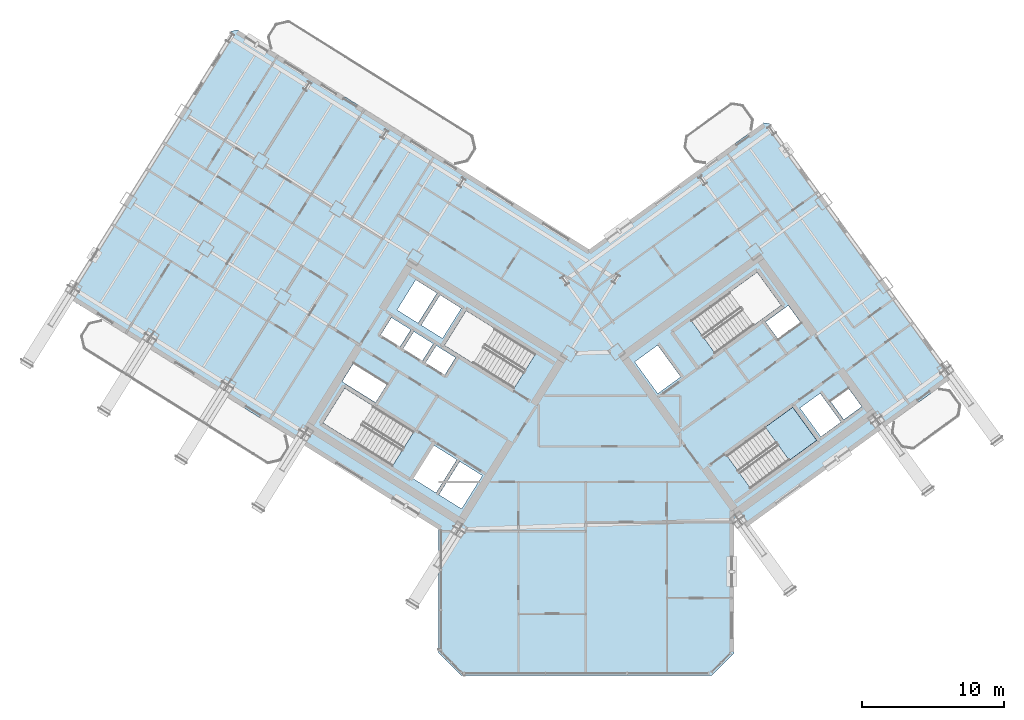
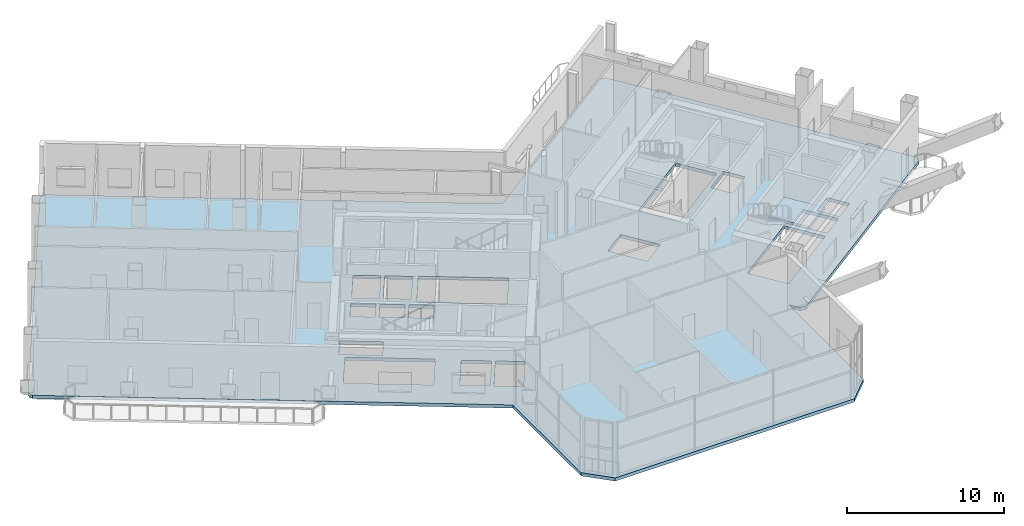
# One storey, part 14 of 32: 2 slabs, 1 element without a shape of its own.
"""IFC4 building model written with IfcOpenShell, lengths in metres."""

from ifc_helpers import new_model, si_unit, direction, frame, origin, place, context, subcontext, project, spatial, polyline, outline, extrude, material, layer, layer_set, type_object, element, aggregate, save


model = new_model("IFC4")

# Units and contexts
model_context = context("Model", 3, precision=1e-05, world=origin(), true_north=direction((0.0, 1.0)))
body_context = subcontext(model_context, "Body", "Model", "MODEL_VIEW")
ifc_project = project(units=[si_unit("LENGTHUNIT", "METRE"), si_unit("AREAUNIT", "SQUARE_METRE"), si_unit("VOLUMEUNIT", "CUBIC_METRE"), si_unit("PLANEANGLEUNIT", "RADIAN"), si_unit("MASSUNIT", "GRAM", prefix="KILO")], contexts=[model_context])

# Site, building, storey
site_placement = place(None, origin())
site = spatial("IfcSite", under=ifc_project, at=site_placement, CompositionType="ELEMENT")
building_placement = place(site_placement, origin())
building = spatial("IfcBuilding", under=site, at=building_placement, Name="Tlacorven Tower", CompositionType="ELEMENT")
storey_placement = place(building_placement, frame((0.0, 0.0, 123.300048828125)))
storey = spatial("IfcBuildingStorey", under=building, at=storey_placement, Name="L31", CompositionType="ELEMENT", Elevation=123.300048828125)

# Stair, slab
ifc_material = material(Name="Concrete C40/50", Category="concrete")
stair_type = type_object("IfcStairType", Name="ST-CORE-DLG", PredefinedType="HALF_TURN_STAIR", material=ifc_material)
stair_placement = place(storey_placement, origin())
stair = element("IfcStair", 1, at=stair_placement, inside=storey, type_object=stair_type, Name="L31 Protected Exit Stair East 2", PredefinedType="HALF_TURN_STAIR")
ifc_layer_1 = layer(ifc_material, 0.199951171875)
ifc_layer_set_1 = layer_set([ifc_layer_1], Name="Concrete C40/50")
slab_type_1 = type_object("IfcSlabType", Name="SL-LND-200", PredefinedType="LANDING", material=ifc_layer_set_1)
slab_1_placement = place(storey_placement, frame((0.0, 0.0, 2.050048828125)))
slab_1 = element("IfcSlab", 2, at=slab_1_placement, type_object=slab_type_1, Name="ST-E2 landing 1", PredefinedType="LANDING", context=body_context, shape_type="SweptSolid", body=[
    extrude(outline(polyline([(56.28125, 16.95361328125), (58.21484375, 18.3583984375), (56.52197265625, 20.6884765625), (54.58837890625, 19.283447265625), (56.28125, 16.95361328125)])), origin(), (0.0, 0.0, 1.0), 0.199951171875),
])
aggregate(stair, [slab_1])

# Slab
ifc_layer_2 = layer(ifc_material, 0.25)
ifc_layer_set_2 = layer_set([ifc_layer_2], Name="Concrete C40/50")
slab_type_2 = type_object("IfcSlabType", Name="SL-TWR-250", PredefinedType="FLOOR", material=ifc_layer_set_2)
slab_2_placement = place(storey_placement, frame((0.0, 0.0, -0.25)))
element("IfcSlab", 3, at=slab_2_placement, inside=storey, type_object=slab_type_2, Name="L31 Boomerang Tower Floor Slab", PredefinedType="FLOOR", context=body_context, shape_type="SweptSolid", body=[
    extrude(outline(polyline([(52.39990234375, 3.39990234375), (50.800048828125, 1.800048828125), (33.199951171875, 1.800048828125), (31.60009765625, 3.39990234375), (31.60009765625, 12.09423828125), (5.62451171875, 28.32568359375), (5.529052734375, 28.739013671875), (17.0390625, 47.15869140625), (17.452392578125, 47.254150390625), (42.19970703125, 31.790283203125), (54.481689453125, 40.713623046875), (54.90087890625, 40.647216796875), (67.66748046875, 23.075439453125), (67.60107421875, 22.656494140625), (53.265380859375, 12.24072265625), (52.846435546875, 12.30712890625), (52.39990234375, 12.921630859375), (52.39990234375, 3.39990234375)]), holes=[polyline([(29.865478515625, 18.979736328125), (24.9892578125, 22.02685546875), (23.463134765625, 19.58447265625), (28.33935546875, 16.537353515625), (29.865478515625, 18.979736328125)]), polyline([(38.4169921875, 24.4375), (33.540771484375, 27.484375), (32.0146484375, 25.0419921875), (36.890869140625, 21.9951171875), (38.4169921875, 24.4375)]), polyline([(51.05908203125, 24.481689453125), (55.7109375, 27.861572265625), (54.01806640625, 30.19140625), (49.3662109375, 26.811767578125), (51.05908203125, 24.481689453125)]), polyline([(53.56298828125, 14.978759765625), (58.21484375, 18.3583984375), (56.52197265625, 20.6884765625), (51.8701171875, 17.30859375), (53.56298828125, 14.978759765625)]), polyline([(34.682373046875, 15.87548828125), (33.088134765625, 16.871826171875), (31.62548828125, 14.531005859375), (33.2197265625, 13.534912109375), (34.682373046875, 15.87548828125)]), polyline([(32.884521484375, 16.9990234375), (31.2392578125, 18.02685546875), (29.77685546875, 15.686279296875), (31.421875, 14.658203125), (32.884521484375, 16.9990234375)]), polyline([(47.0234375, 21.648681640625), (48.6416015625, 22.82421875), (47.019287109375, 25.05712890625), (45.401123046875, 23.881591796875), (47.0234375, 21.648681640625)]), polyline([(33.197265625, 27.65185546875), (31.704833984375, 28.58447265625), (30.3798828125, 26.46435546875), (31.87255859375, 25.53173828125), (33.197265625, 27.65185546875)]), polyline([(31.484375, 28.722412109375), (29.99169921875, 29.655029296875), (28.6669921875, 27.534912109375), (30.159423828125, 26.602294921875), (31.484375, 28.722412109375)]), polyline([(32.794921875, 24.17724609375), (31.43798828125, 25.025146484375), (30.685546875, 23.82080078125), (32.042236328125, 22.972900390625), (32.794921875, 24.17724609375)]), polyline([(31.217529296875, 25.162841796875), (29.860595703125, 26.0107421875), (29.108154296875, 24.806396484375), (30.465087890625, 23.958740234375), (31.217529296875, 25.162841796875)]), polyline([(29.64013671875, 26.1484375), (28.283203125, 26.996337890625), (27.53076171875, 25.792236328125), (28.8876953125, 24.9443359375), (29.64013671875, 26.1484375)]), polyline([(58.498779296875, 18.614013671875), (59.922607421875, 19.648681640625), (58.453125, 21.671142578125), (57.029296875, 20.63671875), (58.498779296875, 18.614013671875)]), polyline([(27.96142578125, 22.2919921875), (25.603759765625, 23.76513671875), (24.80908203125, 22.4931640625), (27.16650390625, 21.02001953125), (27.96142578125, 22.2919921875)]), polyline([(55.490478515625, 25.4765625), (57.092529296875, 26.640380859375), (56.210693359375, 27.85400390625), (54.60888671875, 26.690185546875), (55.490478515625, 25.4765625)]), polyline([(60.12109375, 19.817626953125), (61.38330078125, 20.734619140625), (60.45458984375, 22.012939453125), (59.192626953125, 21.095947265625), (60.12109375, 19.817626953125)])]), origin(), (0.0, 0.0, 1.0), 0.25),
])

save(model, "model.ifc")
